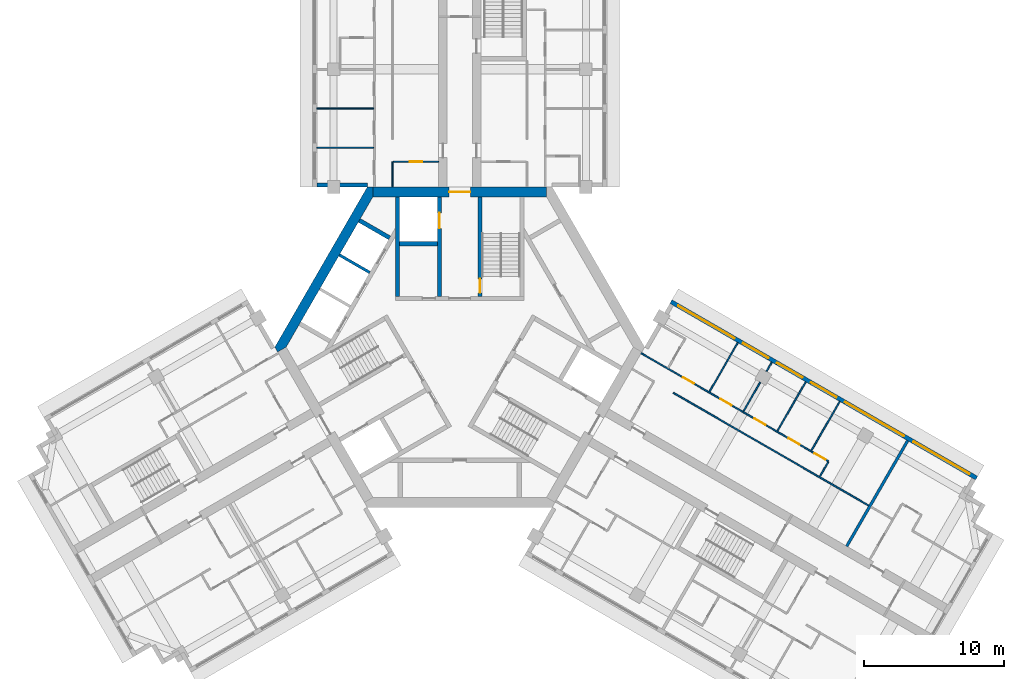
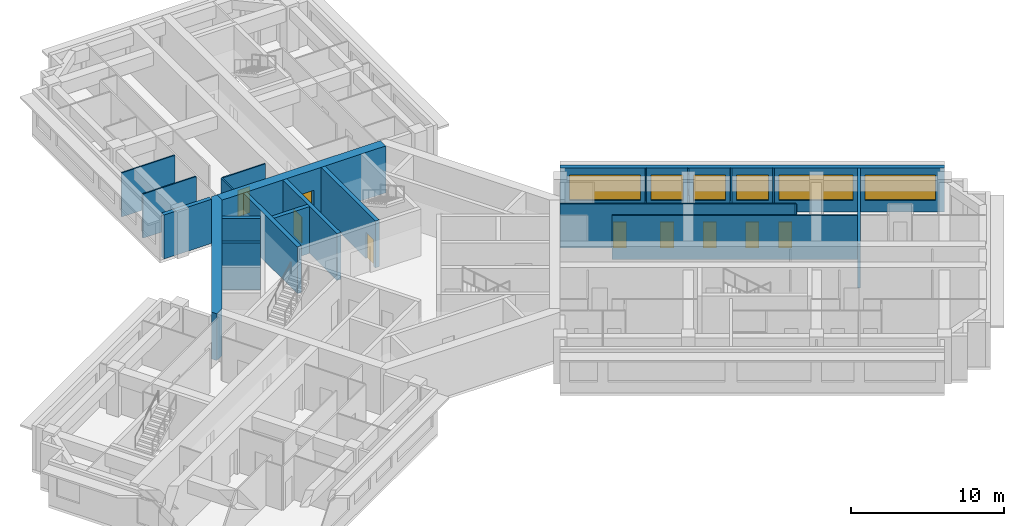
# One storey, part 6 of 10: 23 walls, 9 doors, 6 windows, 15 openings.
"""IFC4 building model written with IfcOpenShell, lengths in metres."""

import ifcopenshell
import ifcopenshell.guid

model = None  # the IFC model being written
_history = None  # IfcOwnerHistory: only IFC2X3 demands one
_inside = {}  # id of a spatial element -> (the spatial element, [elements in it])
_under = {}  # id of a project, library or spatial element -> (it, [spatial elements below it])
_declared = {}  # id of a project -> (the project, [libraries it declares])
_typed = {}  # id of a type object -> (the type object, [elements of that type])
_made_of = {}  # id of a material, layer set ... -> (it, [elements and type objects made of it])


def new_model(schema):
    """Start an empty IFC model of exactly this schema.

    Asked for "IFC4X3", IfcOpenShell would pick the latest addendum, in which some entities
    have other attributes; the version numbers below select the first issue.
    IFC2X3 requires an IfcOwnerHistory on every rooted entity: one is made here for all.
    """
    global model, _history
    if schema == "IFC4X3":
        model = ifcopenshell.file(schema_version=(4, 3, 0, 0))
    else:
        model = ifcopenshell.file(schema=schema)
    _inside.clear()
    _under.clear()
    _declared.clear()
    _typed.clear()
    _made_of.clear()
    _history = None
    if model.schema == "IFC2X3":
        org = make("IfcOrganization", Name="unknown")
        user = make(
            "IfcPersonAndOrganization",
            ThePerson=make("IfcPerson", FamilyName="unknown"),
            TheOrganization=org,
        )
        app = make(
            "IfcApplication",
            ApplicationDeveloper=org,
            Version="unknown",
            ApplicationFullName="unknown",
            ApplicationIdentifier="unknown",
        )
        _history = make(
            "IfcOwnerHistory",
            OwningUser=user,
            OwningApplication=app,
            ChangeAction="ADDED",
            CreationDate=0,
        )
    return model


def make(cls, **values):
    """One entity of the class cls with the attributes given. An attribute that is None is left unset."""
    return model.create_entity(
        cls, **{name: value for name, value in values.items() if value is not None}
    )


def rooted(cls, **values):
    """An entity with a GlobalId (a new one), such as an element, a storey or a relation."""
    return make(cls, GlobalId=ifcopenshell.guid.new(), OwnerHistory=_history, **values)


def si_unit(unit_type, name, prefix=None):
    """IfcSIUnit, for example si_unit("LENGTHUNIT", "METRE", prefix="MILLI")."""
    return make("IfcSIUnit", UnitType=unit_type, Prefix=prefix, Name=name)


def assignment(units):
    """IfcUnitAssignment: the units of a project."""
    return None if units is None else make("IfcUnitAssignment", Units=units)


def point(xyz):
    """IfcCartesianPoint."""
    return None if xyz is None else make("IfcCartesianPoint", Coordinates=xyz)


def direction(xyz):
    """IfcDirection."""
    return None if xyz is None else make("IfcDirection", DirectionRatios=xyz)


def frame(location, z_axis=None, x_axis=None):
    """IfcAxis2Placement3D, a coordinate frame: its origin and axes. An axis left out is left unset."""
    return make(
        "IfcAxis2Placement3D",
        Location=point(location),
        Axis=direction(z_axis),
        RefDirection=direction(x_axis),
    )


def frame_2d(location, x_axis=None):
    """IfcAxis2Placement2D, a coordinate frame in the plane: its origin and x axis."""
    return make(
        "IfcAxis2Placement2D", Location=point(location), RefDirection=direction(x_axis)
    )


def origin():
    """The frame at (0, 0, 0) with its axes left unset."""
    return frame((0.0, 0.0, 0.0))


def place(relative_to, where):
    """IfcLocalPlacement: puts the frame where relative to a parent placement (None: the world)."""
    return make(
        "IfcLocalPlacement", PlacementRelTo=relative_to, RelativePlacement=where
    )


def context(
    kind, dimensions, precision=None, world=None, true_north=None, identifier=None
):
    """IfcGeometricRepresentationContext, for example the 3D "Model" context."""
    return make(
        "IfcGeometricRepresentationContext",
        ContextIdentifier=identifier,
        ContextType=kind,
        CoordinateSpaceDimension=dimensions,
        Precision=precision,
        WorldCoordinateSystem=world,
        TrueNorth=true_north,
    )


def subcontext(parent, identifier, kind, view, scale=None):
    """IfcGeometricRepresentationSubContext, for example "Body" below "Model"."""
    return make(
        "IfcGeometricRepresentationSubContext",
        ContextIdentifier=identifier,
        ContextType=kind,
        ParentContext=parent,
        TargetScale=scale,
        TargetView=view,
    )


def project(units=None, contexts=None):
    """IfcProject with its units and contexts."""
    return rooted(
        "IfcProject",
        Name="project",
        RepresentationContexts=contexts,
        UnitsInContext=assignment(units),
    )


def spatial(cls, under=None, at=None, **own):
    """A site, building, storey or space (cls), placed at a placement, below another one or the project."""
    s = rooted(cls, ObjectPlacement=at, **own)
    if under is not None:
        _under.setdefault(under.id(), (under, []))[1].append(s)
    return s


def polyline(points):
    """IfcPolyline through the points."""
    return make("IfcPolyline", Points=[point(p) for p in points])


def profile(cls, at=None, kind="AREA", **sizes):
    """A parametric profile (cls). Its sizes go by their IFC names, for example OverallWidth=200.0."""
    return make(cls, ProfileType=kind, Position=at, **sizes)


def rectangle(**sizes):
    """IfcRectangleProfileDef."""
    return profile("IfcRectangleProfileDef", **sizes)


def outline(outer, holes=None, kind="AREA"):
    """IfcArbitraryClosedProfileDef: a profile drawn as a closed curve; with holes, ...WithVoids."""
    if holes is None:
        return make("IfcArbitraryClosedProfileDef", ProfileType=kind, OuterCurve=outer)
    return make(
        "IfcArbitraryProfileDefWithVoids",
        ProfileType=kind,
        OuterCurve=outer,
        InnerCurves=holes,
    )


def extrude(swept, where, along, depth):
    """IfcExtrudedAreaSolid: the profile swept, set in the frame where, extruded along a direction by depth."""
    return make(
        "IfcExtrudedAreaSolid",
        SweptArea=swept,
        Position=where,
        ExtrudedDirection=direction(along),
        Depth=depth,
    )


def shape(context_of_items, identifier, shape_type, items):
    """IfcShapeRepresentation: the items that make up one representation, for example the "Body"."""
    return make(
        "IfcShapeRepresentation",
        ContextOfItems=context_of_items,
        RepresentationIdentifier=identifier,
        RepresentationType=shape_type,
        Items=items,
    )


def material(Name=None, Category=None):
    """IfcMaterial."""
    return make("IfcMaterial", Name=Name, Category=Category)


def layer(
    of_material, thickness, ventilated=None, Name=None, Category=None, Priority=None
):
    """IfcMaterialLayer: one layer of a wall or slab, of a material (None: an air gap)."""
    return make(
        "IfcMaterialLayer",
        Material=of_material,
        LayerThickness=thickness,
        IsVentilated=ventilated,
        Name=Name,
        Category=Category,
        Priority=Priority,
    )


def layer_set(layers, Name=None):
    """IfcMaterialLayerSet."""
    return make("IfcMaterialLayerSet", MaterialLayers=layers, LayerSetName=Name)


def made_of(thing, what):
    """Note that an element or type object is made of a material, layer set ...; save() writes the relation."""
    if what is not None:
        _made_of.setdefault(what.id(), (what, []))[1].append(thing)
    return thing


def type_object(cls, material=None, **own):
    """A type object (cls), such as IfcWallType, which elements share."""
    return made_of(rooted(cls, **own), material)


def element(
    cls,
    number,
    at=None,
    inside=None,
    cuts=None,
    type_object=None,
    material=None,
    context=None,
    identifier="Body",
    shape_type=None,
    held_by="IfcProductDefinitionShape",
    body=None,
    shapes=None,
    **own,
):
    """One element of the class cls, such as IfcWall. Its Tag is "e" and its number.

    at: its placement. inside: the storey or other place that contains it. cuts: it is an
    opening in that element (IfcRelVoidsElement). A single representation is given by context,
    identifier, shape_type and body (its items); several are given by shapes. held_by: the class
    of the entity that holds the representations. save() writes the other relations.
    """
    e = rooted(cls, Tag="e%d" % number, ObjectPlacement=at, **own)
    if body is not None:
        shapes = [shape(context, identifier, shape_type, body)]
    if shapes is not None:
        e.Representation = make(held_by, Representations=shapes)
    if inside is not None:
        _inside.setdefault(inside.id(), (inside, []))[1].append(e)
    if cuts is not None:
        rooted(
            "IfcRelVoidsElement", RelatingBuildingElement=cuts, RelatedOpeningElement=e
        )
    if type_object is not None:
        _typed.setdefault(type_object.id(), (type_object, []))[1].append(e)
    return made_of(e, material)


def fill(opening, filler):
    """IfcRelFillsElement: the door or window that sits in an opening."""
    return rooted(
        "IfcRelFillsElement",
        RelatingOpeningElement=opening,
        RelatedBuildingElement=filler,
    )


def aggregate(whole, parts):
    """IfcRelAggregates: a whole, such as a stair, and the parts it consists of."""
    return rooted("IfcRelAggregates", RelatingObject=whole, RelatedObjects=parts)


def save(model, path):
    """Write the relations noted so far, then the file.

    IfcRelAggregates (storeys below a building ...), IfcRelContainedInSpatialStructure (elements
    in a storey), IfcRelDefinesByType, IfcRelAssociatesMaterial and IfcRelDeclares: one each for
    every whole, place, type object, material and project.
    """
    for whole, parts in _under.values():
        aggregate(whole, parts)
    for where, things in _inside.values():
        rooted(
            "IfcRelContainedInSpatialStructure",
            RelatedElements=things,
            RelatingStructure=where,
        )
    for kind, things in _typed.values():
        rooted("IfcRelDefinesByType", RelatedObjects=things, RelatingType=kind)
    for what, things in _made_of.values():
        rooted("IfcRelAssociatesMaterial", RelatedObjects=things, RelatingMaterial=what)
    for by, libraries in _declared.values():
        rooted("IfcRelDeclares", RelatingContext=by, RelatedDefinitions=libraries)
    model.write(path)


model = new_model("IFC4")

# Units and contexts
model_context = context("Model", 3, precision=1e-05, world=origin(), true_north=direction((0.0, 1.0)))
body_context = subcontext(model_context, "Body", "Model", "MODEL_VIEW")
ifc_project = project(units=[si_unit("LENGTHUNIT", "METRE"), si_unit("AREAUNIT", "SQUARE_METRE"), si_unit("VOLUMEUNIT", "CUBIC_METRE"), si_unit("PLANEANGLEUNIT", "RADIAN"), si_unit("MASSUNIT", "GRAM", prefix="KILO")], contexts=[model_context])

# Site, building, storey
site_placement = place(None, origin())
site = spatial("IfcSite", under=ifc_project, at=site_placement, CompositionType="ELEMENT")
building_placement = place(site_placement, origin())
building = spatial("IfcBuilding", under=site, at=building_placement, Name="Impinga Residences", CompositionType="ELEMENT")
storey_placement = place(building_placement, frame((0.0, 0.0, 237.25)))
storey = spatial("IfcBuildingStorey", under=building, at=storey_placement, Name="L59", CompositionType="ELEMENT", Elevation=237.25)

# Wall
ifc_material_1 = material(Name="Terracotta rainscreen on blockwork", Category="masonry")
ifc_layer_1 = layer(ifc_material_1, 0.300048828125)
ifc_layer_set_1 = layer_set([ifc_layer_1], Name="EW1 external wall, terracotta rainscreen on blockwork 300")
wall_type_1 = type_object("IfcWallType", Name="EW1 external wall, terracotta rainscreen on blockwork 300", PredefinedType="SOLIDWALL", material=ifc_layer_set_1)
wall_1_placement = place(storey_placement, frame((-6.60009765625, 11.58154296875, 0.0), z_axis=(0.0, 0.0, 1.0), x_axis=(-1.0, 0.0, 0.0)))
element("IfcWall", 1, at=wall_1_placement, inside=storey, type_object=wall_type_1, Name="External wall EW1 L59", PredefinedType="SOLIDWALL", context=body_context, shape_type="SweptSolid", body=[
    extrude(rectangle(XDim=3.599853515625, YDim=0.300048828125, at=frame_2d((1.7998046875, 0.0))), origin(), (0.0, 0.0, 1.0), 3.530029296875),
])

# Wall, openings, windows
wall_2_placement = place(storey_placement, frame((15.074951171875, 3.24755859375, 0.0), z_axis=(0.0, 0.0, 1.0), x_axis=(0.86602925447, -0.499993330357, 0.0)))
wall_2 = element("IfcWall", 2, at=wall_2_placement, inside=storey, type_object=wall_type_1, Name="External wall EW1 L59", PredefinedType="SOLIDWALL", context=body_context, shape_type="SweptSolid", body=[
    extrude(rectangle(XDim=25.199951171875, YDim=0.300048828125, at=frame_2d((12.60009765625, 0.0))), origin(), (0.0, 0.0, 1.0), 3.530029296875),
])
opening_1_placement = place(wall_2_placement, frame((0.60009765625, 0.0, 0.89990234375)))
opening_1 = element("IfcOpeningElement", 3, at=opening_1_placement, cuts=wall_2, Name="Opening W10", PredefinedType="OPENING", context=body_context, shape_type="SweptSolid", body=[
    extrude(rectangle(XDim=4.64990234375, YDim=2.050048828125, at=frame_2d((2.324951171875, 1.02490234375))), frame((0.0, 0.159912109375, 0.0), z_axis=(0.0, -1.0, 0.0), x_axis=(1.0, 0.0, 0.0)), (0.0, 0.0, 1.0), 0.320068359375),
])
opening_2_placement = place(wall_2_placement, frame((5.949951171875, 0.0, 0.89990234375)))
opening_2 = element("IfcOpeningElement", 4, at=opening_2_placement, cuts=wall_2, Name="Opening W9", PredefinedType="OPENING", context=body_context, shape_type="SweptSolid", body=[
    extrude(rectangle(XDim=2.10009765625, YDim=2.050048828125, at=frame_2d((1.050048828125, 1.02490234375))), frame((0.0, 0.159912109375, 0.0), z_axis=(0.0, -1.0, 0.0), x_axis=(1.0, 0.0, 0.0)), (0.0, 0.0, 1.0), 0.320068359375),
])
opening_3_placement = place(wall_2_placement, frame((8.75, 0.0, 0.89990234375)))
opening_3 = element("IfcOpeningElement", 5, at=opening_3_placement, cuts=wall_2, Name="Opening W9", PredefinedType="OPENING", context=body_context, shape_type="SweptSolid", body=[
    extrude(rectangle(XDim=2.10009765625, YDim=2.050048828125, at=frame_2d((1.050048828125, 1.02490234375))), frame((0.0, 0.159912109375, 0.0), z_axis=(0.0, -1.0, 0.0), x_axis=(1.0, 0.0, 0.0)), (0.0, 0.0, 1.0), 0.320068359375),
])
opening_4_placement = place(wall_2_placement, frame((11.550048828125, 0.0, 0.89990234375)))
opening_4 = element("IfcOpeningElement", 6, at=opening_4_placement, cuts=wall_2, Name="Opening W9", PredefinedType="OPENING", context=body_context, shape_type="SweptSolid", body=[
    extrude(rectangle(XDim=2.10009765625, YDim=2.050048828125, at=frame_2d((1.050048828125, 1.02490234375))), frame((0.0, 0.159912109375, 0.0), z_axis=(0.0, -1.0, 0.0), x_axis=(1.0, 0.0, 0.0)), (0.0, 0.0, 1.0), 0.320068359375),
])
opening_5_placement = place(wall_2_placement, frame((14.35009765625, 0.0, 0.89990234375)))
opening_5 = element("IfcOpeningElement", 7, at=opening_5_placement, cuts=wall_2, Name="Opening W6", PredefinedType="OPENING", context=body_context, shape_type="SweptSolid", body=[
    extrude(rectangle(XDim=4.85009765625, YDim=2.050048828125, at=frame_2d((2.425048828125, 1.02490234375))), frame((0.0, 0.159912109375, 0.0), z_axis=(0.0, -1.0, 0.0), x_axis=(1.0, 0.0, 0.0)), (0.0, 0.0, 1.0), 0.320068359375),
])
opening_6_placement = place(wall_2_placement, frame((20.0, 0.0, 0.89990234375)))
opening_6 = element("IfcOpeningElement", 8, at=opening_6_placement, cuts=wall_2, Name="Opening W3", PredefinedType="OPENING", context=body_context, shape_type="SweptSolid", body=[
    extrude(rectangle(XDim=4.60009765625, YDim=2.050048828125, at=frame_2d((2.300048828125, 1.02490234375))), frame((0.0, 0.159912109375, 0.0), z_axis=(0.0, -1.0, 0.0), x_axis=(1.0, 0.0, 0.0)), (0.0, 0.0, 1.0), 0.320068359375),
])
ifc_material_2 = material(Name="Aluminium window, clear double glazing", Category="aluminium")
window_type_1 = type_object("IfcWindowType", Name="W10 ribbon window 4650x2050", PartitioningType="SINGLE_PANEL", PredefinedType="WINDOW", material=ifc_material_2)
window_1_placement = place(opening_1_placement, origin())
window_1 = element("IfcWindow", 9, at=window_1_placement, inside=storey, type_object=window_type_1, Name="Window L59", OverallHeight=2.050048828125, OverallWidth=4.64990234375, PartitioningType="SINGLE_PANEL", PredefinedType="WINDOW", context=body_context, shape_type="SweptSolid", body=[
    extrude(rectangle(XDim=4.64990234375, YDim=2.050048828125, at=frame_2d((2.324951171875, 1.02490234375))), frame((0.0, 0.030029296875, 0.0), z_axis=(0.0, -1.0, 0.0), x_axis=(1.0, 0.0, 0.0)), (0.0, 0.0, 1.0), 0.06005859375),
])
fill(opening_1, window_1)
window_type_2 = type_object("IfcWindowType", Name="W3 ribbon window 4600x2050", PartitioningType="SINGLE_PANEL", PredefinedType="WINDOW", material=ifc_material_2)
window_2_placement = place(opening_6_placement, origin())
window_2 = element("IfcWindow", 10, at=window_2_placement, inside=storey, type_object=window_type_2, Name="Window L59", OverallHeight=2.050048828125, OverallWidth=4.60009765625, PartitioningType="SINGLE_PANEL", PredefinedType="WINDOW", context=body_context, shape_type="SweptSolid", body=[
    extrude(rectangle(XDim=4.60009765625, YDim=2.050048828125, at=frame_2d((2.300048828125, 1.02490234375))), frame((0.0, 0.030029296875, 0.0), z_axis=(0.0, -1.0, 0.0), x_axis=(1.0, 0.0, 0.0)), (0.0, 0.0, 1.0), 0.06005859375),
])
fill(opening_6, window_2)
window_type_3 = type_object("IfcWindowType", Name="W6 ribbon window 4850x2050", PartitioningType="SINGLE_PANEL", PredefinedType="WINDOW", material=ifc_material_2)
window_3_placement = place(opening_5_placement, origin())
window_3 = element("IfcWindow", 11, at=window_3_placement, inside=storey, type_object=window_type_3, Name="Window L59", OverallHeight=2.050048828125, OverallWidth=4.85009765625, PartitioningType="SINGLE_PANEL", PredefinedType="WINDOW", context=body_context, shape_type="SweptSolid", body=[
    extrude(rectangle(XDim=4.85009765625, YDim=2.050048828125, at=frame_2d((2.425048828125, 1.02490234375))), frame((0.0, 0.030029296875, 0.0), z_axis=(0.0, -1.0, 0.0), x_axis=(1.0, 0.0, 0.0)), (0.0, 0.0, 1.0), 0.06005859375),
])
fill(opening_5, window_3)
window_type_4 = type_object("IfcWindowType", Name="W9 ribbon window 2100x2050", PartitioningType="SINGLE_PANEL", PredefinedType="WINDOW", material=ifc_material_2)
window_4_placement = place(opening_2_placement, origin())
window_4 = element("IfcWindow", 12, at=window_4_placement, inside=storey, type_object=window_type_4, Name="Window L59", OverallHeight=2.050048828125, OverallWidth=2.10009765625, PartitioningType="SINGLE_PANEL", PredefinedType="WINDOW", context=body_context, shape_type="SweptSolid", body=[
    extrude(rectangle(XDim=2.10009765625, YDim=2.050048828125, at=frame_2d((1.050048828125, 1.02490234375))), frame((0.0, 0.030029296875, 0.0), z_axis=(0.0, -1.0, 0.0), x_axis=(1.0, 0.0, 0.0)), (0.0, 0.0, 1.0), 0.06005859375),
])
fill(opening_2, window_4)
window_5_placement = place(opening_3_placement, origin())
window_5 = element("IfcWindow", 13, at=window_5_placement, inside=storey, type_object=window_type_4, Name="Window L59", OverallHeight=2.050048828125, OverallWidth=2.10009765625, PartitioningType="SINGLE_PANEL", PredefinedType="WINDOW", context=body_context, shape_type="SweptSolid", body=[
    extrude(rectangle(XDim=2.10009765625, YDim=2.050048828125, at=frame_2d((1.050048828125, 1.02490234375))), frame((0.0, 0.030029296875, 0.0), z_axis=(0.0, -1.0, 0.0), x_axis=(1.0, 0.0, 0.0)), (0.0, 0.0, 1.0), 0.06005859375),
])
fill(opening_3, window_5)
window_6_placement = place(opening_4_placement, origin())
window_6 = element("IfcWindow", 14, at=window_6_placement, inside=storey, type_object=window_type_4, Name="Window L59", OverallHeight=2.050048828125, OverallWidth=2.10009765625, PartitioningType="SINGLE_PANEL", PredefinedType="WINDOW", context=body_context, shape_type="SweptSolid", body=[
    extrude(rectangle(XDim=2.10009765625, YDim=2.050048828125, at=frame_2d((1.050048828125, 1.02490234375))), frame((0.0, 0.030029296875, 0.0), z_axis=(0.0, -1.0, 0.0), x_axis=(1.0, 0.0, 0.0)), (0.0, 0.0, 1.0), 0.06005859375),
])
fill(opening_4, window_6)

# Wall
ifc_material_3 = material(Name="Gypsum board on steel studs", Category="steel")
ifc_layer_2 = layer(ifc_material_3, 0.10009765625)
ifc_layer_set_2 = layer_set([ifc_layer_2], Name="Gypsum board on steel studs")
wall_type_2 = type_object("IfcWallType", Name="IP1 partition 100", PredefinedType="PARTITIONING", material=ifc_layer_set_2)
wall_3_placement = place(storey_placement, frame((-4.800048828125, 11.431640625, 0.0), z_axis=(0.0, 0.0, 1.0), x_axis=(0.0, 1.0, 0.0)))
element("IfcWall", 15, at=wall_3_placement, inside=storey, type_object=wall_type_2, Name="Partition L59-NA1:DIV0", PredefinedType="PARTITIONING", context=body_context, shape_type="SweptSolid", body=[
    extrude(rectangle(XDim=1.7998046875, YDim=0.10009765625, at=frame_2d((0.89990234375, 0.0))), origin(), (0.0, 0.0, 1.0), 3.530029296875),
])

# Wall, opening, door
wall_4_placement = place(storey_placement, frame((-1.5, 13.2314453125, 0.0), z_axis=(0.0, 0.0, 1.0), x_axis=(-1.0, 0.0, 0.0)))
wall_4 = element("IfcWall", 16, at=wall_4_placement, inside=storey, type_object=wall_type_2, Name="Partition L59-NA1:IB1", PredefinedType="PARTITIONING", context=body_context, shape_type="SweptSolid", body=[
    extrude(rectangle(XDim=3.25, YDim=0.10009765625, at=frame_2d((1.625, 0.0))), origin(), (0.0, 0.0, 1.0), 3.530029296875),
])
opening_7_placement = place(wall_4_placement, frame((1.175048828125, 0.0, 0.0)))
opening_7 = element("IfcOpeningElement", 17, at=opening_7_placement, cuts=wall_4, Name="Opening D2", PredefinedType="OPENING", context=body_context, shape_type="SweptSolid", body=[
    extrude(rectangle(XDim=0.89990234375, YDim=2.10009765625, at=frame_2d((0.449951171875, 1.050048828125))), frame((0.0, 0.06005859375, 0.0), z_axis=(0.0, -1.0, 0.0), x_axis=(1.0, 0.0, 0.0)), (0.0, 0.0, 1.0), 0.1201171875),
])
ifc_material_4 = material(Name="Timber door set", Category="wood")
door_type_1 = type_object("IfcDoorType", Name="D2 internal door 900x2100", OperationType="SINGLE_SWING_LEFT", PredefinedType="DOOR", material=ifc_material_4)
door_1_placement = place(opening_7_placement, origin())
door_1 = element("IfcDoor", 18, at=door_1_placement, inside=storey, type_object=door_type_1, Name="Apartment L59-NA1 bathroom door", OperationType="SINGLE_SWING_LEFT", OverallHeight=2.10009765625, OverallWidth=0.89990234375, PredefinedType="DOOR", context=body_context, shape_type="SweptSolid", body=[
    extrude(rectangle(XDim=0.89990234375, YDim=2.10009765625, at=frame_2d((0.449951171875, 1.050048828125))), frame((0.0, 0.02490234375, 0.0), z_axis=(0.0, -1.0, 0.0), x_axis=(1.0, 0.0, 0.0)), (0.0, 0.0, 1.0), 0.050048828125),
])
fill(opening_7, door_1)

# Walls
for number, where, z_axis, x_axis, name in (
    (19, (-6.14990234375, 14.2314453125, 0.0), (0.0, 0.0, 1.0), (-1.0, 0.0, 0.0), "Partition L59-NA1:OB1"),
    (20, (-6.14990234375, 17.031494140625, 0.0), (0.0, 0.0, 1.0), (-1.0, 0.0, 0.0), "Partition L59-NA1:OB2"),
):
    element("IfcWall", number, at=place(storey_placement, frame(where, z_axis=z_axis, x_axis=x_axis)), inside=storey, type_object=wall_type_2, Name=name, PredefinedType="PARTITIONING", context=body_context, shape_type="SweptSolid", body=[
        extrude(rectangle(XDim=4.050048828125, YDim=0.10009765625, at=frame_2d((2.02490234375, 0.0))), origin(), (0.0, 0.0, 1.0), 3.530029296875),
    ])
wall_5_placement = place(storey_placement, frame((15.244384765625, -3.2587890625, 0.0), z_axis=(0.0, 0.0, 1.0), x_axis=(0.866025740127, -0.499999417437, 0.0)))
element("IfcWall", 21, at=wall_5_placement, inside=storey, type_object=wall_type_2, Name="Partition L59-EA1:DIV1", PredefinedType="PARTITIONING", context=body_context, shape_type="SweptSolid", body=[
    extrude(rectangle(XDim=16.10009765625, YDim=0.10009765625, at=frame_2d((8.050048828125, 0.0))), origin(), (0.0, 0.0, 1.0), 3.530029296875),
])

# Wall, openings, doors
wall_6_placement = place(storey_placement, frame((12.949951171875, -0.43310546875, 0.0), z_axis=(0.0, 0.0, 1.0), x_axis=(0.866030066916, -0.499991923133, 0.0)))
wall_6 = element("IfcWall", 22, at=wall_6_placement, inside=storey, type_object=wall_type_2, Name="Partition L59-EA1:STRIP", PredefinedType="PARTITIONING", context=body_context, shape_type="SweptSolid", body=[
    extrude(rectangle(XDim=15.449951171875, YDim=0.10009765625, at=frame_2d((7.72509765625, 0.0))), origin(), (0.0, 0.0, 1.0), 3.530029296875),
])
opening_8_placement = place(wall_6_placement, frame((3.449951171875, 0.0, 0.0)))
opening_8 = element("IfcOpeningElement", 23, at=opening_8_placement, cuts=wall_6, Name="Opening D2", PredefinedType="OPENING", context=body_context, shape_type="SweptSolid", body=[
    extrude(rectangle(XDim=0.89990234375, YDim=2.10009765625, at=frame_2d((0.449951171875, 1.050048828125))), frame((0.0, 0.06005859375, 0.0), z_axis=(0.0, -1.0, 0.0), x_axis=(1.0, 0.0, 0.0)), (0.0, 0.0, 1.0), 0.1201171875),
])
opening_9_placement = place(wall_6_placement, frame((6.550048828125, 0.0, 0.0)))
opening_9 = element("IfcOpeningElement", 24, at=opening_9_placement, cuts=wall_6, Name="Opening D2", PredefinedType="OPENING", context=body_context, shape_type="SweptSolid", body=[
    extrude(rectangle(XDim=0.89990234375, YDim=2.10009765625, at=frame_2d((0.449951171875, 1.050048828125))), frame((0.0, 0.06005859375, 0.0), z_axis=(0.0, -1.0, 0.0), x_axis=(1.0, 0.0, 0.0)), (0.0, 0.0, 1.0), 0.1201171875),
])
opening_10_placement = place(wall_6_placement, frame((9.35009765625, 0.0, 0.0)))
opening_10 = element("IfcOpeningElement", 25, at=opening_10_placement, cuts=wall_6, Name="Opening D2", PredefinedType="OPENING", context=body_context, shape_type="SweptSolid", body=[
    extrude(rectangle(XDim=0.89990234375, YDim=2.10009765625, at=frame_2d((0.449951171875, 1.050048828125))), frame((0.0, 0.06005859375, 0.0), z_axis=(0.0, -1.0, 0.0), x_axis=(1.0, 0.0, 0.0)), (0.0, 0.0, 1.0), 0.1201171875),
])
opening_11_placement = place(wall_6_placement, frame((12.14990234375, 0.0, 0.0)))
opening_11 = element("IfcOpeningElement", 26, at=opening_11_placement, cuts=wall_6, Name="Opening D2", PredefinedType="OPENING", context=body_context, shape_type="SweptSolid", body=[
    extrude(rectangle(XDim=0.89990234375, YDim=2.10009765625, at=frame_2d((0.449951171875, 1.050048828125))), frame((0.0, 0.06005859375, 0.0), z_axis=(0.0, -1.0, 0.0), x_axis=(1.0, 0.0, 0.0)), (0.0, 0.0, 1.0), 0.1201171875),
])
opening_12_placement = place(wall_6_placement, frame((14.300048828125, 0.0, 0.0)))
opening_12 = element("IfcOpeningElement", 27, at=opening_12_placement, cuts=wall_6, Name="Opening D2", PredefinedType="OPENING", context=body_context, shape_type="SweptSolid", body=[
    extrude(rectangle(XDim=0.89990234375, YDim=2.10009765625, at=frame_2d((0.449951171875, 1.050048828125))), frame((0.0, 0.06005859375, 0.0), z_axis=(0.0, -1.0, 0.0), x_axis=(1.0, 0.0, 0.0)), (0.0, 0.0, 1.0), 0.1201171875),
])
door_2_placement = place(opening_8_placement, origin())
door_2 = element("IfcDoor", 28, at=door_2_placement, inside=storey, type_object=door_type_1, Name="Apartment L59-EA1 room door", OperationType="SINGLE_SWING_LEFT", OverallHeight=2.10009765625, OverallWidth=0.89990234375, PredefinedType="DOOR", context=body_context, shape_type="SweptSolid", body=[
    extrude(rectangle(XDim=0.89990234375, YDim=2.10009765625, at=frame_2d((0.449951171875, 1.050048828125))), frame((0.0, 0.02490234375, 0.0), z_axis=(0.0, -1.0, 0.0), x_axis=(1.0, 0.0, 0.0)), (0.0, 0.0, 1.0), 0.050048828125),
])
fill(opening_8, door_2)
door_3_placement = place(opening_9_placement, origin())
door_3 = element("IfcDoor", 29, at=door_3_placement, inside=storey, type_object=door_type_1, Name="Apartment L59-EA1 room door", OperationType="SINGLE_SWING_LEFT", OverallHeight=2.10009765625, OverallWidth=0.89990234375, PredefinedType="DOOR", context=body_context, shape_type="SweptSolid", body=[
    extrude(rectangle(XDim=0.89990234375, YDim=2.10009765625, at=frame_2d((0.449951171875, 1.050048828125))), frame((0.0, 0.02490234375, 0.0), z_axis=(0.0, -1.0, 0.0), x_axis=(1.0, 0.0, 0.0)), (0.0, 0.0, 1.0), 0.050048828125),
])
fill(opening_9, door_3)
door_4_placement = place(opening_10_placement, origin())
door_4 = element("IfcDoor", 30, at=door_4_placement, inside=storey, type_object=door_type_1, Name="Apartment L59-EA1 room door", OperationType="SINGLE_SWING_RIGHT", OverallHeight=2.10009765625, OverallWidth=0.89990234375, PredefinedType="DOOR", context=body_context, shape_type="SweptSolid", body=[
    extrude(rectangle(XDim=0.89990234375, YDim=2.10009765625, at=frame_2d((0.449951171875, 1.050048828125))), frame((0.0, 0.02490234375, 0.0), z_axis=(0.0, -1.0, 0.0), x_axis=(1.0, 0.0, 0.0)), (0.0, 0.0, 1.0), 0.050048828125),
])
fill(opening_10, door_4)
door_5_placement = place(opening_11_placement, origin())
door_5 = element("IfcDoor", 31, at=door_5_placement, inside=storey, type_object=door_type_1, Name="Apartment L59-EA1 room door", OperationType="SINGLE_SWING_RIGHT", OverallHeight=2.10009765625, OverallWidth=0.89990234375, PredefinedType="DOOR", context=body_context, shape_type="SweptSolid", body=[
    extrude(rectangle(XDim=0.89990234375, YDim=2.10009765625, at=frame_2d((0.449951171875, 1.050048828125))), frame((0.0, 0.02490234375, 0.0), z_axis=(0.0, -1.0, 0.0), x_axis=(1.0, 0.0, 0.0)), (0.0, 0.0, 1.0), 0.050048828125),
])
fill(opening_11, door_5)
door_6_placement = place(opening_12_placement, origin())
door_6 = element("IfcDoor", 32, at=door_6_placement, inside=storey, type_object=door_type_1, Name="Apartment L59-EA1 room door", OperationType="SINGLE_SWING_RIGHT", OverallHeight=2.10009765625, OverallWidth=0.89990234375, PredefinedType="DOOR", context=body_context, shape_type="SweptSolid", body=[
    extrude(rectangle(XDim=0.89990234375, YDim=2.10009765625, at=frame_2d((0.449951171875, 1.050048828125))), frame((0.0, 0.02490234375, 0.0), z_axis=(0.0, -1.0, 0.0), x_axis=(1.0, 0.0, 0.0)), (0.0, 0.0, 1.0), 0.050048828125),
])
fill(opening_12, door_6)

# Walls
wall_7_placement = place(storey_placement, frame((25.705078125, -9.240478515625, 0.0), z_axis=(0.0, 0.0, 1.0), x_axis=(0.50012165622, 0.865955154139, 0.0)))
element("IfcWall", 33, at=wall_7_placement, inside=storey, type_object=wall_type_2, Name="Partition L59-EA1:SE1", PredefinedType="PARTITIONING", context=body_context, shape_type="SweptSolid", body=[
    extrude(rectangle(XDim=1.199951171875, YDim=0.10009765625, at=frame_2d((0.60009765625, 0.0))), origin(), (0.0, 0.0, 1.0), 3.530029296875),
])
wall_8_placement = place(storey_placement, frame((17.82470703125, -3.189697265625, 0.0), z_axis=(0.0, 0.0, 1.0), x_axis=(0.500035537042, 0.866004885491, 0.0)))
element("IfcWall", 34, at=wall_8_placement, inside=storey, type_object=wall_type_2, Name="Partition L59-EA1:OB1", PredefinedType="PARTITIONING", context=body_context, shape_type="SweptSolid", body=[
    extrude(rectangle(XDim=4.050048828125, YDim=0.10009765625, at=frame_2d((2.02490234375, 0.0))), origin(), (0.0, 0.0, 1.0), 3.530029296875),
])
wall_9_placement = place(storey_placement, frame((20.24951171875, -4.589599609375, 0.0), z_axis=(0.0, 0.0, 1.0), x_axis=(0.500077600433, 0.865980596518, 0.0)))
element("IfcWall", 35, at=wall_9_placement, inside=storey, type_object=wall_type_2, Name="Partition L59-EA1:OB2", PredefinedType="PARTITIONING", context=body_context, shape_type="SweptSolid", body=[
    extrude(rectangle(XDim=2.39990234375, YDim=0.10009765625, at=frame_2d((1.199951171875, 0.0))), origin(), (0.0, 0.0, 1.0), 2.47998046875),
])
wall_10_placement = place(storey_placement, frame((21.899658203125, -1.73193359375, 0.0), z_axis=(0.0, 0.0, 1.0), x_axis=(0.499919672301, 0.866071776036, 0.0)))
element("IfcWall", 36, at=wall_10_placement, inside=storey, type_object=wall_type_2, Name="Partition L59-EA1:OB2b", PredefinedType="PARTITIONING", context=body_context, shape_type="SweptSolid", body=[
    extrude(rectangle(XDim=0.75, YDim=0.10009765625, at=frame_2d((0.375, 0.0))), origin(), (0.0, 0.0, 1.0), 3.530029296875),
])
for number, where, z_axis, x_axis, name in (
    (37, (22.674560546875, -5.98974609375, 0.0), (0.0, 0.0, 1.0), (0.499990325971, 0.866030989016, 0.0), "Partition L59-EA1:OB3"),
    (38, (25.099365234375, -7.3896484375, 0.0), (0.0, 0.0, 1.0), (0.499990325971, 0.866030989016, 0.0), "Partition L59-EA1:OB4"),
):
    element("IfcWall", number, at=place(storey_placement, frame(where, z_axis=z_axis, x_axis=x_axis)), inside=storey, type_object=wall_type_2, Name=name, PredefinedType="PARTITIONING", context=body_context, shape_type="SweptSolid", body=[
        extrude(rectangle(XDim=4.0498046875, YDim=0.10009765625, at=frame_2d((2.02490234375, 0.0))), origin(), (0.0, 0.0, 1.0), 3.530029296875),
    ])
ifc_material_5 = material(Name="Concrete blockwork", Category="masonry")
ifc_layer_3 = layer(ifc_material_5, 0.199951171875)
ifc_layer_set_3 = layer_set([ifc_layer_3], Name="PW1 party wall between apartments 200")
wall_type_3 = type_object("IfcWallType", Name="PW1 party wall between apartments 200", PredefinedType="SOLIDWALL", material=ifc_layer_set_3)
wall_11_placement = place(storey_placement, frame((27.6240234375, -14.216796875, 0.0), z_axis=(0.0, 0.0, 1.0), x_axis=(0.500008278454, 0.866020624164, 0.0)))
element("IfcWall", 39, at=wall_11_placement, inside=storey, type_object=wall_type_3, Name="Party wall between apartments L59-EA1:PARTY", PredefinedType="SOLIDWALL", context=body_context, shape_type="SweptSolid", body=[
    extrude(rectangle(XDim=8.699951171875, YDim=0.199951171875, at=frame_2d((4.35009765625, 0.0))), origin(), (0.0, 0.0, 1.0), 3.530029296875),
])

# Wall, opening, door
ifc_material_6 = material(Name="Concrete C60/75", Category="concrete")
ifc_layer_4 = layer(ifc_material_6, 0.699951171875)
ifc_layer_set_4 = layer_set([ifc_layer_4], Name="Concrete C60/75")
wall_type_4 = type_object("IfcWallType", Name="SW3 core wall 700", PredefinedType="SHEAR", material=ifc_layer_set_4)
wall_12_placement = place(storey_placement, frame((-6.19580078125, 11.08154296875, 0.0), z_axis=(0.0, 0.0, 1.0), x_axis=(1.0, 0.0, 0.0)))
wall_12 = element("IfcWall", 40, at=wall_12_placement, inside=storey, type_object=wall_type_4, Name="Core wall SW3 N:FACE L59", PredefinedType="SHEAR", context=body_context, shape_type="SweptSolid", body=[
    extrude(rectangle(XDim=12.3916015625, YDim=0.699951171875, at=frame_2d((6.19580078125, 0.0))), origin(), (0.0, 0.0, 1.0), 3.75),
])
opening_13_placement = place(wall_12_placement, frame((5.44580078125, 0.0, 0.0)))
opening_13 = element("IfcOpeningElement", 41, at=opening_13_placement, cuts=wall_12, Name="Opening D4", PredefinedType="OPENING", context=body_context, shape_type="SweptSolid", body=[
    extrude(rectangle(XDim=1.5, YDim=2.10009765625, at=frame_2d((0.75, 1.050048828125))), frame((0.0, 0.35986328125, 0.0), z_axis=(0.0, -1.0, 0.0), x_axis=(1.0, 0.0, 0.0)), (0.0, 0.0, 1.0), 0.719970703125),
])
door_type_2 = type_object("IfcDoorType", Name="D4 lobby door pair 1500x2100", OperationType="DOUBLE_DOOR_DOUBLE_SWING", PredefinedType="DOOR", material=ifc_material_4)
door_7_placement = place(opening_13_placement, origin())
door_7 = element("IfcDoor", 42, at=door_7_placement, inside=storey, type_object=door_type_2, Name="Lobby door N", OperationType="DOUBLE_DOOR_DOUBLE_SWING", OverallHeight=2.10009765625, OverallWidth=1.5, PredefinedType="DOOR", context=body_context, shape_type="SweptSolid", body=[
    extrude(rectangle(XDim=1.5, YDim=2.10009765625, at=frame_2d((0.75, 1.050048828125))), frame((0.0, 0.02490234375, 0.0), z_axis=(0.0, -1.0, 0.0), x_axis=(1.0, 0.0, 0.0)), (0.0, 0.0, 1.0), 0.050048828125),
])
fill(opening_13, door_7)

# Wall
wall_13_placement = place(storey_placement, origin())
element("IfcWall", 43, at=wall_13_placement, inside=storey, type_object=wall_type_4, Name="Core wall SW3 E:EXPOSED L59", PredefinedType="SHEAR", context=body_context, shape_type="SweptSolid", body=[
    extrude(outline(polyline([(-6.60009765625, 11.431640625), (-13.199951171875, 0.0), (-12.998046875, -0.35009765625), (-12.3916015625, 0.0), (-6.19580078125, 10.7314453125), (-6.19580078125, 11.431640625), (-6.60009765625, 11.431640625)])), origin(), (0.0, 0.0, 1.0), 3.75),
])

# Wall, opening, door
ifc_material_7 = material(Name="Concrete C70/85", Category="concrete")
ifc_layer_5 = layer(ifc_material_7, 0.300048828125)
ifc_layer_set_5 = layer_set([ifc_layer_5], Name="Concrete C70/85")
wall_type_5 = type_object("IfcWallType", Name="SW5 core inner wall, stairs, shafts and lobbies 300", PredefinedType="SHEAR", material=ifc_layer_set_5)
wall_14_placement = place(storey_placement, frame((1.449951171875, 3.6298828125, 0.0), z_axis=(0.0, 0.0, 1.0), x_axis=(0.0, 1.0, 0.0)))
wall_14 = element("IfcWall", 44, at=wall_14_placement, inside=storey, type_object=wall_type_5, Name="Core wall SW5 N:ST-IN L59", PredefinedType="SHEAR", context=body_context, shape_type="SweptSolid", body=[
    extrude(rectangle(XDim=7.1015625, YDim=0.300048828125, at=frame_2d((3.55078125, 0.0))), origin(), (0.0, 0.0, 1.0), 3.75),
])
opening_14_placement = place(wall_14_placement, frame((0.25, 0.0, 0.0)))
opening_14 = element("IfcOpeningElement", 45, at=opening_14_placement, cuts=wall_14, Name="Opening D5", PredefinedType="OPENING", context=body_context, shape_type="SweptSolid", body=[
    extrude(rectangle(XDim=1.0, YDim=2.10009765625, at=frame_2d((0.5, 1.050048828125))), frame((0.0, 0.159912109375, 0.0), z_axis=(0.0, -1.0, 0.0), x_axis=(1.0, 0.0, 0.0)), (0.0, 0.0, 1.0), 0.320068359375),
])
door_type_3 = type_object("IfcDoorType", Name="D5 stair door 1000x2100", OperationType="SINGLE_SWING_LEFT", PredefinedType="DOOR", material=ifc_material_4)
door_8_placement = place(opening_14_placement, origin())
door_8 = element("IfcDoor", 46, at=door_8_placement, inside=storey, type_object=door_type_3, Name="Stair door N", OperationType="SINGLE_SWING_LEFT", OverallHeight=2.10009765625, OverallWidth=1.0, PredefinedType="DOOR", context=body_context, shape_type="SweptSolid", body=[
    extrude(rectangle(XDim=1.0, YDim=2.10009765625, at=frame_2d((0.5, 1.050048828125))), frame((0.0, 0.02490234375, 0.0), z_axis=(0.0, -1.0, 0.0), x_axis=(1.0, 0.0, 0.0)), (0.0, 0.0, 1.0), 0.050048828125),
])
fill(opening_14, door_8)

wall_15_placement = place(storey_placement, frame((-1.449951171875, 3.6298828125, 0.0), z_axis=(0.0, 0.0, 1.0), x_axis=(0.0, 1.0, 0.0)))
wall_15 = element("IfcWall", 47, at=wall_15_placement, inside=storey, type_object=wall_type_5, Name="Core wall SW5 N:FF-IN L59", PredefinedType="SHEAR", context=body_context, shape_type="SweptSolid", body=[
    extrude(rectangle(XDim=7.1015625, YDim=0.300048828125, at=frame_2d((3.55078125, 0.0))), origin(), (0.0, 0.0, 1.0), 3.75),
])
opening_15_placement = place(wall_15_placement, frame((4.85009765625, 0.0, 0.0)))
opening_15 = element("IfcOpeningElement", 48, at=opening_15_placement, cuts=wall_15, Name="Opening LD2", PredefinedType="OPENING", context=body_context, shape_type="SweptSolid", body=[
    extrude(rectangle(XDim=1.10009765625, YDim=2.10009765625, at=frame_2d((0.550048828125, 1.050048828125))), frame((0.0, 0.159912109375, 0.0), z_axis=(0.0, -1.0, 0.0), x_axis=(1.0, 0.0, 0.0)), (0.0, 0.0, 1.0), 0.320068359375),
])
ifc_material_8 = material(Name="Steel lift landing door", Category="steel")
door_type_4 = type_object("IfcDoorType", Name="LD2 firefighting lift landing door 1100x2100", OperationType="DOUBLE_DOOR_SLIDING", PredefinedType="DOOR", material=ifc_material_8)
door_9_placement = place(opening_15_placement, origin())
door_9 = element("IfcDoor", 49, at=door_9_placement, inside=storey, type_object=door_type_4, Name="Firefighting lift landing door F1", OperationType="DOUBLE_DOOR_SLIDING", OverallHeight=2.10009765625, OverallWidth=1.10009765625, PredefinedType="DOOR", context=body_context, shape_type="SweptSolid", body=[
    extrude(rectangle(XDim=1.10009765625, YDim=2.10009765625, at=frame_2d((0.550048828125, 1.050048828125))), frame((0.0, 0.02490234375, 0.0), z_axis=(0.0, -1.0, 0.0), x_axis=(1.0, 0.0, 0.0)), (0.0, 0.0, 1.0), 0.050048828125),
])
fill(opening_15, door_9)

# Walls
wall_16_placement = place(storey_placement, frame((-4.449951171875, 3.6298828125, 0.0), z_axis=(0.0, 0.0, 1.0), x_axis=(0.0, 1.0, 0.0)))
element("IfcWall", 50, at=wall_16_placement, inside=storey, type_object=wall_type_5, Name="Core wall SW5 N:FF-OUT L59", PredefinedType="SHEAR", context=body_context, shape_type="SweptSolid", body=[
    extrude(rectangle(XDim=7.1015625, YDim=0.300048828125, at=frame_2d((3.55078125, 0.0))), origin(), (0.0, 0.0, 1.0), 3.75),
])
wall_17_placement = place(storey_placement, frame((-4.300048828125, 7.3798828125, 0.0), z_axis=(0.0, 0.0, 1.0), x_axis=(1.0, 0.0, 0.0)))
element("IfcWall", 51, at=wall_17_placement, inside=storey, type_object=wall_type_5, Name="Core wall SW5 N:FF-RS L59", PredefinedType="SHEAR", context=body_context, shape_type="SweptSolid", body=[
    extrude(rectangle(XDim=2.699951171875, YDim=0.300048828125, at=frame_2d((1.35009765625, 0.0))), origin(), (0.0, 0.0, 1.0), 3.75),
])
wall_18_placement = place(storey_placement, frame((-5.003662109375, 7.79638671875, 0.0), z_axis=(0.0, 0.0, 1.0), x_axis=(-0.866022959057, 0.500004234368, 0.0)))
element("IfcWall", 52, at=wall_18_placement, inside=storey, type_object=wall_type_5, Name="Core wall SW5 E:BANK-R L59", PredefinedType="SHEAR", context=body_context, shape_type="SweptSolid", body=[
    extrude(rectangle(XDim=2.5, YDim=0.300048828125, at=frame_2d((1.25, 0.0))), origin(), (0.0, 0.0, 1.0), 3.75),
])
ifc_layer_6 = layer(ifc_material_7, 0.199951171875)
ifc_layer_set_6 = layer_set([ifc_layer_6], Name="Concrete C70/85")
wall_type_6 = type_object("IfcWallType", Name="SW6 lift shaft divider wall 200", PredefinedType="SHEAR", material=ifc_layer_set_6)
wall_19_placement = place(storey_placement, frame((-6.4287109375, 5.328125, 0.0), z_axis=(0.0, 0.0, 1.0), x_axis=(-0.866022959057, 0.500004234368, 0.0)))
element("IfcWall", 53, at=wall_19_placement, inside=storey, type_object=wall_type_6, Name="Core wall SW6 E:BANK-D2 L59", PredefinedType="SHEAR", context=body_context, shape_type="SweptSolid", body=[
    extrude(rectangle(XDim=2.5, YDim=0.199951171875, at=frame_2d((1.25, 0.0))), origin(), (0.0, 0.0, 1.0), 3.75),
])

save(model, "model.ifc")
